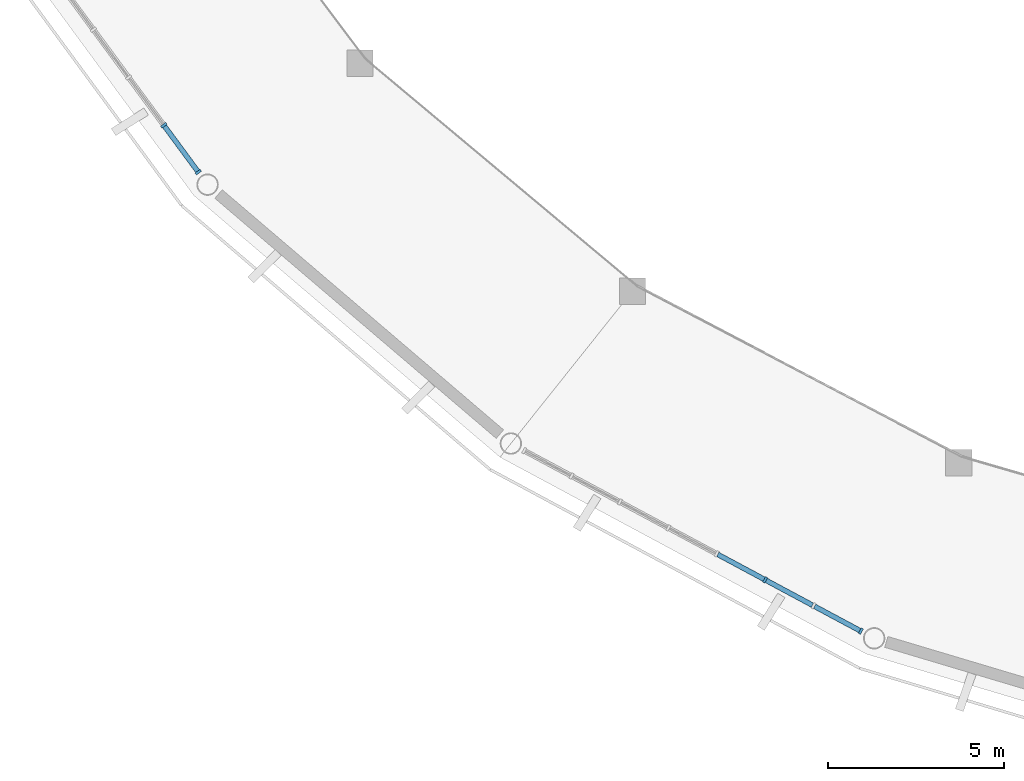
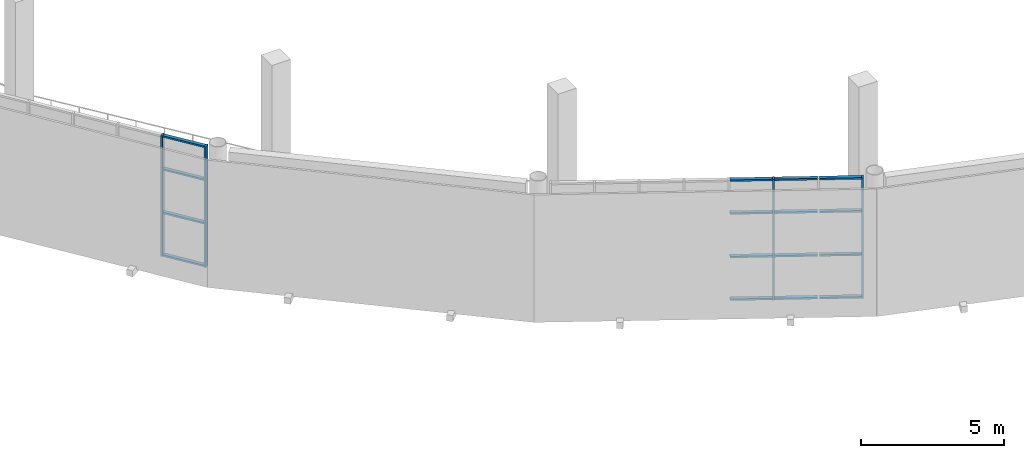
# One storey, part 10 of 40: 20 members, 2 elements without a shape of their own.
"""IFC4 building model written with IfcOpenShell, lengths in metres."""

from ifc_helpers import new_model, si_unit, direction, frame, origin, origin_2d, place, context, subcontext, project, spatial, rectangle, extrude, material, material_profile, profile_set, type_object, element, aggregate, save


model = new_model("IFC4")

# Units and contexts
model_context = context("Model", 3, precision=1e-05, world=origin(), true_north=direction((0.0, 1.0)))
body_context = subcontext(model_context, "Body", "Model", "MODEL_VIEW")
ifc_project = project(units=[si_unit("LENGTHUNIT", "METRE"), si_unit("AREAUNIT", "SQUARE_METRE"), si_unit("VOLUMEUNIT", "CUBIC_METRE"), si_unit("PLANEANGLEUNIT", "RADIAN"), si_unit("MASSUNIT", "GRAM", prefix="KILO")], contexts=[model_context])

# Site, building, storey
site_placement = place(None, origin())
site = spatial("IfcSite", under=ifc_project, at=site_placement, CompositionType="ELEMENT")
building_placement = place(site_placement, origin())
building = spatial("IfcBuilding", under=site, at=building_placement, Name="Cuetzalor Civic Arena", CompositionType="ELEMENT")
storey_placement = place(building_placement, frame((0.0, 0.0, 26.39990234375)))
storey = spatial("IfcBuildingStorey", under=building, at=storey_placement, Name="L05", CompositionType="ELEMENT", Elevation=26.39990234375)

# Curtain wall, members
ifc_material_1 = material(Name="Anodised dark bronze aluminium and low-E solar glass", Category="aluminium")
curtain_wall_type_1 = type_object("IfcCurtainWallType", Name="UnitisedCW_10150x5150", PredefinedType="USERDEFINED", material=ifc_material_1)
curtain_wall_1_placement = place(storey_placement, origin())
curtain_wall_1 = element("IfcCurtainWall", 1, at=curtain_wall_1_placement, inside=storey, type_object=curtain_wall_type_1, Name="Drum Triangle Foyer Curtain Wall L05-075", ObjectType="UNITISED CURTAIN WALL", PredefinedType="USERDEFINED")
ifc_material_2 = material(Name="Anodised dark bronze aluminium", Category="aluminium")
ifc_material_profile_1 = material_profile(ifc_material_2, rectangle(XDim=0.070068359375, YDim=0.179931640625, at=origin_2d()), Name="ALU MULLION 70x180")
ifc_profile_set_1 = profile_set([ifc_material_profile_1], Name="Anodised dark bronze aluminium")
member_type_1 = type_object("IfcMemberType", Name="CurtainWallMullion_65x180", PredefinedType="MULLION", material=ifc_profile_set_1)
member_1_placement = place(storey_placement, frame((-42.911865234375, -28.66650390625, 0.0), z_axis=(0.0, 0.0, 1.0), x_axis=(-0.59292931222, 0.805254513002, 0.0)))
member_1 = element("IfcMember", 2, at=member_1_placement, type_object=member_type_1, Name="CW-18 mullion 1", PredefinedType="MULLION", context=body_context, shape_type="SweptSolid", body=[
    extrude(rectangle(XDim=0.070068359375, YDim=0.179931640625, at=origin_2d()), origin(), (0.0, 0.0, 1.0), 5.135986328125),
])
member_2_placement = place(storey_placement, frame((-43.8935546875, -27.333251953125, 0.0), z_axis=(0.0, 0.0, 1.0), x_axis=(-0.59292931222, 0.805254513002, 0.0)))
member_2 = element("IfcMember", 3, at=member_2_placement, type_object=member_type_1, Name="CW-18 mullion 2", PredefinedType="MULLION", context=body_context, shape_type="SweptSolid", body=[
    extrude(rectangle(XDim=0.070068359375, YDim=0.179931640625, at=origin_2d()), origin(), (0.0, 0.0, 1.0), 5.135986328125),
])

ifc_material_3 = material(Name="Anodised dark bronze aluminium and low-E solar glass", Category="aluminium")
curtain_wall_type_2 = type_object("IfcCurtainWallType", Name="UnitisedCW_10950x5150", PredefinedType="USERDEFINED", material=ifc_material_3)
curtain_wall_2_placement = place(storey_placement, origin())
curtain_wall_2 = element("IfcCurtainWall", 4, at=curtain_wall_2_placement, inside=storey, type_object=curtain_wall_type_2, Name="Drum Triangle Foyer Curtain Wall L05-076", ObjectType="UNITISED CURTAIN WALL", PredefinedType="USERDEFINED")
member_3_placement = place(storey_placement, frame((-24.04736328125, -41.737060546875, 0.0), z_axis=(0.0, 0.0, 1.0), x_axis=(-0.881306344124, 0.472545371163, 0.0)))
member_3 = element("IfcMember", 5, at=member_3_placement, type_object=member_type_1, Name="CW-19 mullion 1", PredefinedType="MULLION", context=body_context, shape_type="SweptSolid", body=[
    extrude(rectangle(XDim=0.070068359375, YDim=0.179931640625, at=origin_2d()), origin(), (0.0, 0.0, 1.0), 5.135986328125),
])
member_4_placement = place(storey_placement, frame((-26.772705078125, -40.275634765625, 0.0), z_axis=(0.0, 0.0, 1.0), x_axis=(-0.881306344124, 0.472545371163, 0.0)))
member_4 = element("IfcMember", 6, at=member_4_placement, type_object=member_type_1, Name="CW-19 mullion 3", PredefinedType="MULLION", context=body_context, shape_type="SweptSolid", body=[
    extrude(rectangle(XDim=0.070068359375, YDim=0.179931640625, at=origin_2d()), origin(), (0.0, 0.0, 1.0), 5.135986328125),
])

# Member
ifc_material_4 = material(Name="Anodised dark bronze aluminium", Category="aluminium")
ifc_material_profile_2 = material_profile(ifc_material_4, rectangle(XDim=0.139892578125, YDim=0.070068359375, at=origin_2d()), Name="ALU TRANSOM 70x140")
ifc_profile_set_2 = profile_set([ifc_material_profile_2], Name="Anodised dark bronze aluminium")
member_type_2 = type_object("IfcMemberType", Name="CurtainWallTransom_65x140", PredefinedType="USERDEFINED", material=ifc_profile_set_2)
member_5_placement = place(storey_placement, frame((-42.9326171875, -28.63818359375, 0.03515625), z_axis=(-0.59293115048, 0.805253159442, 0.0), x_axis=(-0.805253159442, -0.59293115048, 0.0)))
member_5 = element("IfcMember", 7, at=member_5_placement, type_object=member_type_2, Name="CW-18 transom 1.1", ObjectType="TRANSOM", PredefinedType="USERDEFINED", context=body_context, shape_type="SweptSolid", body=[
    extrude(rectangle(XDim=0.139892578125, YDim=0.070068359375, at=origin_2d()), origin(), (0.0, 0.0, 1.0), 1.585693359375),
])

member_6_placement = place(storey_placement, frame((-42.9326171875, -28.63818359375, 1.84912109375), z_axis=(-0.59293115048, 0.805253159442, 0.0), x_axis=(-0.805253159442, -0.59293115048, 0.0)))
member_6 = element("IfcMember", 8, at=member_6_placement, type_object=member_type_2, Name="CW-18 transom 1.2", ObjectType="TRANSOM", PredefinedType="USERDEFINED", context=body_context, shape_type="SweptSolid", body=[
    extrude(rectangle(XDim=0.139892578125, YDim=0.070068359375, at=origin_2d()), origin(), (0.0, 0.0, 1.0), 1.585693359375),
])

member_7_placement = place(storey_placement, frame((-42.9326171875, -28.63818359375, 3.697998046875), z_axis=(-0.59293115048, 0.805253159442, 0.0), x_axis=(-0.805253159442, -0.59293115048, 0.0)))
member_7 = element("IfcMember", 9, at=member_7_placement, type_object=member_type_2, Name="CW-18 transom 1.3", ObjectType="TRANSOM", PredefinedType="USERDEFINED", context=body_context, shape_type="SweptSolid", body=[
    extrude(rectangle(XDim=0.139892578125, YDim=0.070068359375, at=origin_2d()), origin(), (0.0, 0.0, 1.0), 1.585693359375),
])

member_8_placement = place(storey_placement, frame((-42.9326171875, -28.63818359375, 5.10107421875), z_axis=(-0.59293115048, 0.805253159442, 0.0), x_axis=(-0.805253159442, -0.59293115048, 0.0)))
member_8 = element("IfcMember", 10, at=member_8_placement, type_object=member_type_2, Name="CW-18 transom 1.4", ObjectType="TRANSOM", PredefinedType="USERDEFINED", context=body_context, shape_type="SweptSolid", body=[
    extrude(rectangle(XDim=0.139892578125, YDim=0.070068359375, at=origin_2d()), origin(), (0.0, 0.0, 1.0), 1.585693359375),
])

aggregate(curtain_wall_1, [member_1, member_2, member_5, member_6, member_7, member_8])

member_9_placement = place(storey_placement, frame((-24.078125, -41.720458984375, 0.03515625), z_axis=(-0.881275880815, 0.472602181432, 0.0), x_axis=(-0.472602181432, -0.881275880815, 0.0)))
member_9 = element("IfcMember", 11, at=member_9_placement, type_object=member_type_2, Name="CW-19 transom 1.1", ObjectType="TRANSOM", PredefinedType="USERDEFINED", context=body_context, shape_type="SweptSolid", body=[
    extrude(rectangle(XDim=0.139892578125, YDim=0.070068359375, at=origin_2d()), origin(), (0.0, 0.0, 1.0), 1.458740234375),
])

member_10_placement = place(storey_placement, frame((-24.078125, -41.720458984375, 1.84912109375), z_axis=(-0.881275880815, 0.472602181432, 0.0), x_axis=(-0.472602181432, -0.881275880815, 0.0)))
member_10 = element("IfcMember", 12, at=member_10_placement, type_object=member_type_2, Name="CW-19 transom 1.2", ObjectType="TRANSOM", PredefinedType="USERDEFINED", context=body_context, shape_type="SweptSolid", body=[
    extrude(rectangle(XDim=0.139892578125, YDim=0.070068359375, at=origin_2d()), origin(), (0.0, 0.0, 1.0), 1.458740234375),
])

member_11_placement = place(storey_placement, frame((-24.078125, -41.720458984375, 3.697998046875), z_axis=(-0.881275880815, 0.472602181432, 0.0), x_axis=(-0.472602181432, -0.881275880815, 0.0)))
member_11 = element("IfcMember", 13, at=member_11_placement, type_object=member_type_2, Name="CW-19 transom 1.3", ObjectType="TRANSOM", PredefinedType="USERDEFINED", context=body_context, shape_type="SweptSolid", body=[
    extrude(rectangle(XDim=0.139892578125, YDim=0.070068359375, at=origin_2d()), origin(), (0.0, 0.0, 1.0), 1.458740234375),
])

member_12_placement = place(storey_placement, frame((-24.078125, -41.720458984375, 5.10107421875), z_axis=(-0.881275880815, 0.472602181432, 0.0), x_axis=(-0.472602181432, -0.881275880815, 0.0)))
member_12 = element("IfcMember", 14, at=member_12_placement, type_object=member_type_2, Name="CW-19 transom 1.4", ObjectType="TRANSOM", PredefinedType="USERDEFINED", context=body_context, shape_type="SweptSolid", body=[
    extrude(rectangle(XDim=0.139892578125, YDim=0.070068359375, at=origin_2d()), origin(), (0.0, 0.0, 1.0), 1.458740234375),
])

member_13_placement = place(storey_placement, frame((-25.42529296875, -40.998046875, 0.03515625), z_axis=(-0.881351173238, 0.472461754465, 0.0), x_axis=(-0.472461754465, -0.881351173238, 0.0)))
member_13 = element("IfcMember", 15, at=member_13_placement, type_object=member_type_2, Name="CW-19 transom 2.1", ObjectType="TRANSOM", PredefinedType="USERDEFINED", context=body_context, shape_type="SweptSolid", body=[
    extrude(rectangle(XDim=0.139892578125, YDim=0.070068359375, at=origin_2d()), origin(), (0.0, 0.0, 1.0), 1.493896484375),
])

member_14_placement = place(storey_placement, frame((-25.42529296875, -40.998046875, 1.84912109375), z_axis=(-0.881351173238, 0.472461754465, 0.0), x_axis=(-0.472461754465, -0.881351173238, 0.0)))
member_14 = element("IfcMember", 16, at=member_14_placement, type_object=member_type_2, Name="CW-19 transom 2.2", ObjectType="TRANSOM", PredefinedType="USERDEFINED", context=body_context, shape_type="SweptSolid", body=[
    extrude(rectangle(XDim=0.139892578125, YDim=0.070068359375, at=origin_2d()), origin(), (0.0, 0.0, 1.0), 1.493896484375),
])

member_15_placement = place(storey_placement, frame((-25.42529296875, -40.998046875, 3.697998046875), z_axis=(-0.881351173238, 0.472461754465, 0.0), x_axis=(-0.472461754465, -0.881351173238, 0.0)))
member_15 = element("IfcMember", 17, at=member_15_placement, type_object=member_type_2, Name="CW-19 transom 2.3", ObjectType="TRANSOM", PredefinedType="USERDEFINED", context=body_context, shape_type="SweptSolid", body=[
    extrude(rectangle(XDim=0.139892578125, YDim=0.070068359375, at=origin_2d()), origin(), (0.0, 0.0, 1.0), 1.493896484375),
])

member_16_placement = place(storey_placement, frame((-25.42529296875, -40.998046875, 5.10107421875), z_axis=(-0.881351173238, 0.472461754465, 0.0), x_axis=(-0.472461754465, -0.881351173238, 0.0)))
member_16 = element("IfcMember", 18, at=member_16_placement, type_object=member_type_2, Name="CW-19 transom 2.4", ObjectType="TRANSOM", PredefinedType="USERDEFINED", context=body_context, shape_type="SweptSolid", body=[
    extrude(rectangle(XDim=0.139892578125, YDim=0.070068359375, at=origin_2d()), origin(), (0.0, 0.0, 1.0), 1.493896484375),
])

member_17_placement = place(storey_placement, frame((-26.803466796875, -40.259033203125, 0.03515625), z_axis=(-0.881314685602, 0.472529813812, 0.0), x_axis=(-0.472529813812, -0.881314685602, 0.0)))
member_17 = element("IfcMember", 19, at=member_17_placement, type_object=member_type_2, Name="CW-19 transom 3.1", ObjectType="TRANSOM", PredefinedType="USERDEFINED", context=body_context, shape_type="SweptSolid", body=[
    extrude(rectangle(XDim=0.139892578125, YDim=0.070068359375, at=origin_2d()), origin(), (0.0, 0.0, 1.0), 1.49365234375),
])

member_18_placement = place(storey_placement, frame((-26.803466796875, -40.259033203125, 1.84912109375), z_axis=(-0.881314685602, 0.472529813812, 0.0), x_axis=(-0.472529813812, -0.881314685602, 0.0)))
member_18 = element("IfcMember", 20, at=member_18_placement, type_object=member_type_2, Name="CW-19 transom 3.2", ObjectType="TRANSOM", PredefinedType="USERDEFINED", context=body_context, shape_type="SweptSolid", body=[
    extrude(rectangle(XDim=0.139892578125, YDim=0.070068359375, at=origin_2d()), origin(), (0.0, 0.0, 1.0), 1.49365234375),
])

member_19_placement = place(storey_placement, frame((-26.803466796875, -40.259033203125, 3.697998046875), z_axis=(-0.881314685602, 0.472529813812, 0.0), x_axis=(-0.472529813812, -0.881314685602, 0.0)))
member_19 = element("IfcMember", 21, at=member_19_placement, type_object=member_type_2, Name="CW-19 transom 3.3", ObjectType="TRANSOM", PredefinedType="USERDEFINED", context=body_context, shape_type="SweptSolid", body=[
    extrude(rectangle(XDim=0.139892578125, YDim=0.070068359375, at=origin_2d()), origin(), (0.0, 0.0, 1.0), 1.49365234375),
])

member_20_placement = place(storey_placement, frame((-26.803466796875, -40.259033203125, 5.10107421875), z_axis=(-0.881314685602, 0.472529813812, 0.0), x_axis=(-0.472529813812, -0.881314685602, 0.0)))
member_20 = element("IfcMember", 22, at=member_20_placement, type_object=member_type_2, Name="CW-19 transom 3.4", ObjectType="TRANSOM", PredefinedType="USERDEFINED", context=body_context, shape_type="SweptSolid", body=[
    extrude(rectangle(XDim=0.139892578125, YDim=0.070068359375, at=origin_2d()), origin(), (0.0, 0.0, 1.0), 1.49365234375),
])

aggregate(curtain_wall_2, [member_3, member_4, member_9, member_10, member_11, member_12, member_13, member_14, member_15, member_16, member_17, member_18, member_19, member_20])

save(model, "model.ifc")
